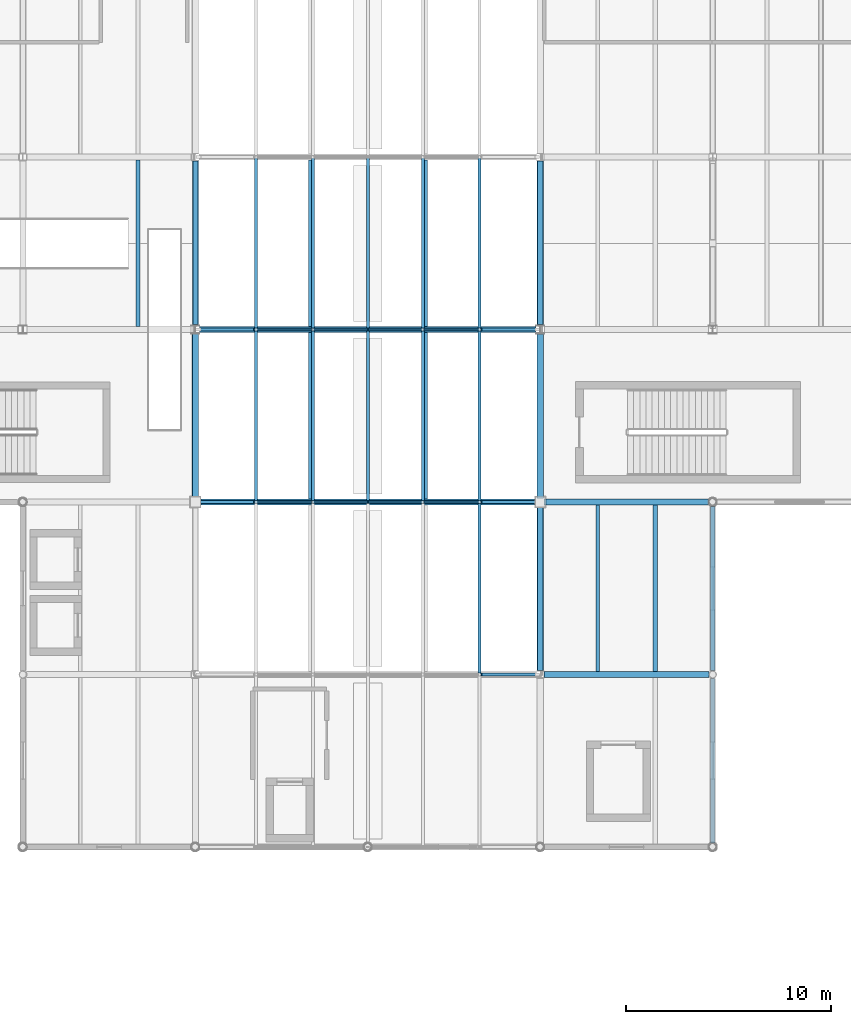
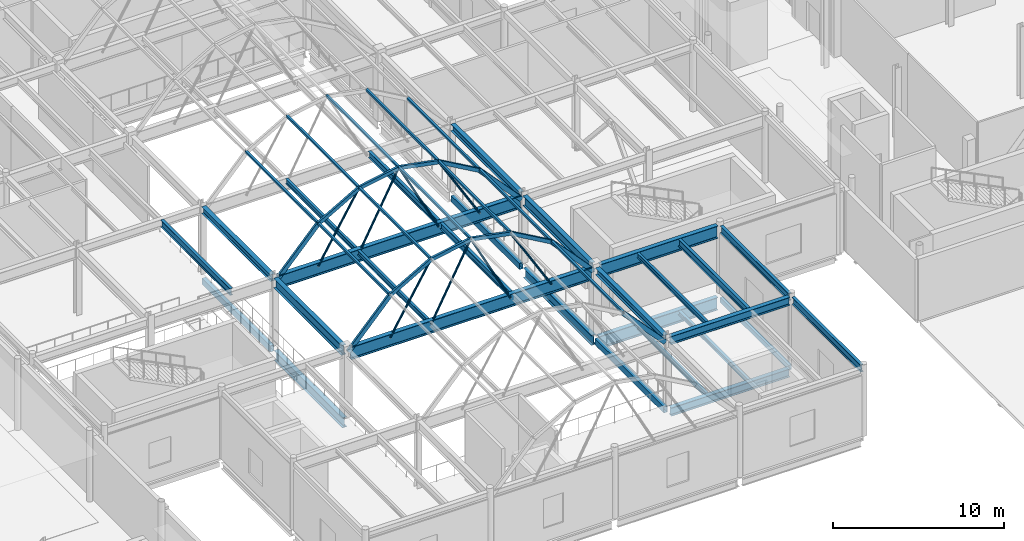
# One storey, part 23 of 103: 32 members, 28 beams.
"""IFC4 building model written with IfcOpenShell, lengths in metres."""

from ifc_helpers import new_model, si_unit, direction, frame, origin, origin_2d, place, context, subcontext, project, spatial, hollow_rectangle, hollow_circle, i_section, extrude, material, material_profile, profile_set, type_object, element, save


model = new_model("IFC4")

# Units and contexts
model_context = context("Model", 3, precision=1e-05, world=origin(), true_north=direction((0.0, 1.0)))
body_context = subcontext(model_context, "Body", "Model", "MODEL_VIEW")
ifc_project = project(units=[si_unit("LENGTHUNIT", "METRE"), si_unit("AREAUNIT", "SQUARE_METRE"), si_unit("VOLUMEUNIT", "CUBIC_METRE"), si_unit("PLANEANGLEUNIT", "RADIAN"), si_unit("MASSUNIT", "GRAM", prefix="KILO"), si_unit("THERMODYNAMICTEMPERATUREUNIT", "KELVIN")], contexts=[model_context])

# Site, building, storey
site_placement = place(None, origin())
site = spatial("IfcSite", under=ifc_project, at=site_placement, CompositionType="ELEMENT")
building_placement = place(site_placement, origin())
building = spatial("IfcBuilding", under=site, at=building_placement, Name="Lustrewick Department Store", CompositionType="ELEMENT")
storey_placement = place(building_placement, frame((0.0, 0.0, 16.5)))
storey = spatial("IfcBuildingStorey", under=building, at=storey_placement, Name="L04", CompositionType="ELEMENT", Elevation=16.5)

# Beams
ifc_material_1 = material(Name="Structural steel Q355B", Category="steel")
ifc_material_profile_1 = material_profile(ifc_material_1, i_section(OverallWidth=0.199951171875, OverallDepth=0.5, WebThickness=0.010009765625, FlangeThickness=0.01611328125, FilletRadius=0.01611328125, at=origin_2d()), Name="HN 500x200x10x16")
ifc_profile_set_1 = profile_set([ifc_material_profile_1], Name="Structural steel Q355B")
beam_type_1 = type_object("IfcBeamType", Name="B01", PredefinedType="JOIST", material=ifc_profile_set_1)
beam_1_placement = place(storey_placement, frame((98.0, 50.550048828125, 4.594970703125), z_axis=(0.0, 1.0, 0.0), x_axis=(-1.0, 0.0, 0.0)))
element("IfcBeam", 1, at=beam_1_placement, inside=storey, type_object=beam_type_1, Name="L04 V2 Secondary Joist B01", PredefinedType="JOIST", context=body_context, shape_type="SweptSolid", body=[
    extrude(i_section(OverallWidth=0.199951171875, OverallDepth=0.5, WebThickness=0.010009765625, FlangeThickness=0.01611328125, FilletRadius=0.01611328125, at=origin_2d()), origin(), (0.0, 0.0, 1.0), 8.100341796875),
])
ifc_material_profile_2 = material_profile(ifc_material_1, i_section(OverallWidth=0.198974609375, OverallDepth=0.49609375, WebThickness=0.009033203125, FlangeThickness=0.013916015625, FilletRadius=0.01611328125, at=origin_2d()), Name="HN 496x199x9x14")
ifc_profile_set_2 = profile_set([ifc_material_profile_2], Name="Structural steel Q355B")
beam_type_2 = type_object("IfcBeamType", Name="B02", PredefinedType="JOIST", material=ifc_profile_set_2)
beam_2_placement = place(storey_placement, frame((72.800048828125, 67.349609375, 4.596923828125), z_axis=(0.0, 1.0, 0.0), x_axis=(-1.0, 0.0, 0.0)))
element("IfcBeam", 2, at=beam_2_placement, inside=storey, type_object=beam_type_2, Name="L04 V2 Secondary Joist B02", PredefinedType="JOIST", context=body_context, shape_type="SweptSolid", body=[
    extrude(i_section(OverallWidth=0.198974609375, OverallDepth=0.49609375, WebThickness=0.009033203125, FlangeThickness=0.013916015625, FilletRadius=0.01611328125, at=origin_2d()), origin(), (0.0, 0.0, 1.0), 8.100341796875),
])
ifc_material_profile_3 = material_profile(ifc_material_1, i_section(OverallWidth=0.199951171875, OverallDepth=0.449951171875, WebThickness=0.009033203125, FlangeThickness=0.013916015625, FilletRadius=0.01611328125, at=origin_2d()), Name="HN 450x200x9x14")
ifc_profile_set_3 = profile_set([ifc_material_profile_3], Name="Structural steel Q355B")
beam_type_3 = type_object("IfcBeamType", Name="B03", PredefinedType="JOIST", material=ifc_profile_set_3)
beam_3_placement = place(storey_placement, frame((86.800048828125, 58.949951171875, 4.6201171875), z_axis=(0.0, 1.0, 0.0), x_axis=(-1.0, 0.0, 0.0)))
element("IfcBeam", 3, at=beam_3_placement, inside=storey, type_object=beam_type_3, Name="L04 V2 Secondary Joist B03", PredefinedType="JOIST", context=body_context, shape_type="SweptSolid", body=[
    extrude(i_section(OverallWidth=0.199951171875, OverallDepth=0.449951171875, WebThickness=0.009033203125, FlangeThickness=0.013916015625, FilletRadius=0.01611328125, at=origin_2d()), origin(), (0.0, 0.0, 1.0), 8.10009765625),
])
beam_4_placement = place(storey_placement, frame((86.800048828125, 67.35009765625, 4.6201171875), z_axis=(0.0, 1.0, 0.0), x_axis=(-1.0, 0.0, 0.0)))
element("IfcBeam", 4, at=beam_4_placement, inside=storey, type_object=beam_type_3, Name="L04 V2 Secondary Joist B03", PredefinedType="JOIST", context=body_context, shape_type="SweptSolid", body=[
    extrude(i_section(OverallWidth=0.199951171875, OverallDepth=0.449951171875, WebThickness=0.009033203125, FlangeThickness=0.013916015625, FilletRadius=0.01611328125, at=origin_2d()), origin(), (0.0, 0.0, 1.0), 8.099853515625),
])
ifc_material_profile_4 = material_profile(ifc_material_1, i_section(OverallWidth=0.175048828125, OverallDepth=0.35009765625, WebThickness=0.007080078125, FlangeThickness=0.010986328125, FilletRadius=0.012939453125, at=origin_2d()), Name="HN 350x175x7x11")
ifc_profile_set_4 = profile_set([ifc_material_profile_4], Name="Structural steel Q355B")
beam_type_4 = type_object("IfcBeamType", Name="B09", PredefinedType="JOIST", material=ifc_profile_set_4)
beam_5_placement = place(storey_placement, frame((95.199951171875, 50.550048828125, -0.429931640625), z_axis=(0.0, 1.0, 0.0), x_axis=(-1.0, 0.0, 0.0)))
element("IfcBeam", 5, at=beam_5_placement, inside=storey, type_object=beam_type_4, Name="L04 V2 Secondary Joist B09", PredefinedType="JOIST", context=body_context, shape_type="SweptSolid", body=[
    extrude(i_section(OverallWidth=0.175048828125, OverallDepth=0.35009765625, WebThickness=0.007080078125, FlangeThickness=0.010986328125, FilletRadius=0.012939453125, at=origin_2d()), origin(), (0.0, 0.0, 1.0), 8.099853515625),
])
beam_6_placement = place(storey_placement, frame((81.199951171875, 58.949951171875, 4.669921875), z_axis=(0.0, 1.0, 0.0), x_axis=(-1.0, 0.0, 0.0)))
element("IfcBeam", 6, at=beam_6_placement, inside=storey, type_object=beam_type_4, Name="L04 V2 Secondary Joist B09", PredefinedType="JOIST", context=body_context, shape_type="SweptSolid", body=[
    extrude(i_section(OverallWidth=0.175048828125, OverallDepth=0.35009765625, WebThickness=0.007080078125, FlangeThickness=0.010986328125, FilletRadius=0.012939453125, at=origin_2d()), origin(), (0.0, 0.0, 1.0), 8.10009765625),
])
beam_7_placement = place(storey_placement, frame((81.199951171875, 67.35009765625, 4.669921875), z_axis=(0.0, 1.0, 0.0), x_axis=(-1.0, 0.0, 0.0)))
element("IfcBeam", 7, at=beam_7_placement, inside=storey, type_object=beam_type_4, Name="L04 V2 Secondary Joist B09", PredefinedType="JOIST", context=body_context, shape_type="SweptSolid", body=[
    extrude(i_section(OverallWidth=0.175048828125, OverallDepth=0.35009765625, WebThickness=0.007080078125, FlangeThickness=0.010986328125, FilletRadius=0.012939453125, at=origin_2d()), origin(), (0.0, 0.0, 1.0), 8.099853515625),
])
ifc_material_profile_5 = material_profile(ifc_material_1, i_section(OverallWidth=0.174072265625, OverallDepth=0.345947265625, WebThickness=0.006103515625, FlangeThickness=0.009033203125, FilletRadius=0.012939453125, at=origin_2d()), Name="HN 346x174x6x9")
ifc_profile_set_5 = profile_set([ifc_material_profile_5], Name="Structural steel Q355B")
beam_type_5 = type_object("IfcBeamType", Name="B10", PredefinedType="JOIST", material=ifc_profile_set_5)
beam_8_placement = place(storey_placement, frame((95.199951171875, 50.550048828125, 4.672119140625), z_axis=(0.0, 1.0, 0.0), x_axis=(-1.0, 0.0, 0.0)))
element("IfcBeam", 8, at=beam_8_placement, inside=storey, type_object=beam_type_5, Name="L04 V2 Secondary Joist B10", PredefinedType="JOIST", context=body_context, shape_type="SweptSolid", body=[
    extrude(i_section(OverallWidth=0.174072265625, OverallDepth=0.345947265625, WebThickness=0.006103515625, FlangeThickness=0.009033203125, FilletRadius=0.012939453125, at=origin_2d()), origin(), (0.0, 0.0, 1.0), 8.100341796875),
])
ifc_material_profile_6 = material_profile(ifc_material_1, i_section(OverallWidth=0.199951171875, OverallDepth=0.2939453125, WebThickness=0.008056640625, FlangeThickness=0.011962890625, FilletRadius=0.013916015625, at=origin_2d()), Name="HM 294x200x8x12")
ifc_profile_set_6 = profile_set([ifc_material_profile_6], Name="Structural steel Q355B")
beam_type_6 = type_object("IfcBeamType", Name="B13", PredefinedType="JOIST", material=ifc_profile_set_6)
beam_9_placement = place(storey_placement, frame((98.0, 50.550048828125, -0.402099609375), z_axis=(0.0, 1.0, 0.0), x_axis=(-1.0, 0.0, 0.0)))
element("IfcBeam", 9, at=beam_9_placement, inside=storey, type_object=beam_type_6, Name="L04 V2 Secondary Joist B13", PredefinedType="JOIST", context=body_context, shape_type="SweptSolid", body=[
    extrude(i_section(OverallWidth=0.199951171875, OverallDepth=0.2939453125, WebThickness=0.008056640625, FlangeThickness=0.011962890625, FilletRadius=0.013916015625, at=origin_2d()), origin(), (0.0, 0.0, 1.0), 8.099853515625),
])

# Members
ifc_material_2 = material(Name="Structural steel Q355C", Category="steel")
ifc_material_profile_7 = material_profile(ifc_material_2, hollow_rectangle(XDim=0.14990234375, YDim=0.300048828125, WallThickness=0.010009765625, at=origin_2d()), Name="RHS 300x150x10")
ifc_profile_set_7 = profile_set([ifc_material_profile_7], Name="Structural steel Q355C")
member_type_1 = type_object("IfcMemberType", Name="DR01", PredefinedType="USERDEFINED", material=ifc_profile_set_7)
for number, where, z_axis, x_axis, name in (
    (10, (89.445068359375, 50.39990234375, 7.5341796875), (0.678233515991, 0.0, -0.734846445039), (0.0, 1.0, 0.0), "V2 Verriere Arch Segment 2.6"),
    (11, (75.75, 58.800048828125, 4.4951171875), (0.678233515991, 0.0, 0.734846445039), (0.0, 1.0, 0.0), "V2 Verriere Arch Segment 3.1"),
    (12, (89.445068359375, 58.800048828125, 7.5341796875), (0.678233515991, 0.0, -0.734846445039), (0.0, 1.0, 0.0), "V2 Verriere Arch Segment 3.6"),
    (13, (75.75, 67.199951171875, 4.4951171875), (0.678233515991, 0.0, 0.734846445039), (0.0, 1.0, 0.0), "V2 Verriere Arch Segment 4.1"),
    (14, (89.445068359375, 67.199951171875, 7.5341796875), (0.678233515991, 0.0, -0.734846445039), (0.0, 1.0, 0.0), "V2 Verriere Arch Segment 4.6"),
):
    element("IfcMember", number, at=place(storey_placement, frame(where, z_axis=z_axis, x_axis=x_axis)), inside=storey, type_object=member_type_1, Name=name, ObjectType="ARCH_SEGMENT", PredefinedType="USERDEFINED", context=body_context, shape_type="SweptSolid", body=[
        extrude(hollow_rectangle(XDim=0.14990234375, YDim=0.300048828125, WallThickness=0.010009765625, at=origin_2d()), origin(), (0.0, 0.0, 1.0), 4.1357421875),
    ])
ifc_material_profile_8 = material_profile(ifc_material_2, hollow_rectangle(XDim=0.14990234375, YDim=0.25, WallThickness=0.010009765625, at=origin_2d()), Name="RHS 250x150x10")
ifc_profile_set_8 = profile_set([ifc_material_profile_8], Name="Structural steel Q355C")
member_type_2 = type_object("IfcMemberType", Name="DR03", PredefinedType="USERDEFINED", material=ifc_profile_set_8)
member_1_placement = place(storey_placement, frame((78.554931640625, 58.800048828125, 7.5341796875), z_axis=(0.868243142124, 0.0, 0.496138938357), x_axis=(0.0, 1.0, 0.0)))
element("IfcMember", 15, at=member_1_placement, inside=storey, type_object=member_type_2, Name="V2 Verriere Arch Segment 3.2", ObjectType="ARCH_SEGMENT", PredefinedType="USERDEFINED", context=body_context, shape_type="SweptSolid", body=[
    extrude(hollow_rectangle(XDim=0.14990234375, YDim=0.25, WallThickness=0.010009765625, at=origin_2d()), origin(), (0.0, 0.0, 1.0), 3.186767578125),
])
for number, where, z_axis, x_axis, name in (
    (16, (81.32177734375, 58.800048828125, 9.115234375), (0.982347187118, 0.0, 0.187066843563), (0.0, 1.0, 0.0), "V2 Verriere Arch Segment 3.3"),
    (17, (84.0, 58.800048828125, 9.625244140625), (0.982347187118, 0.0, -0.187066843563), (0.0, 1.0, 0.0), "V2 Verriere Arch Segment 3.4"),
):
    element("IfcMember", number, at=place(storey_placement, frame(where, z_axis=z_axis, x_axis=x_axis)), inside=storey, type_object=member_type_2, Name=name, ObjectType="ARCH_SEGMENT", PredefinedType="USERDEFINED", context=body_context, shape_type="SweptSolid", body=[
        extrude(hollow_rectangle(XDim=0.14990234375, YDim=0.25, WallThickness=0.010009765625, at=origin_2d()), origin(), (0.0, 0.0, 1.0), 2.726318359375),
    ])
for number, where, z_axis, x_axis, name in (
    (18, (86.67822265625, 58.800048828125, 9.115234375), (0.868243142124, 0.0, -0.496138938357), (0.0, 1.0, 0.0), "V2 Verriere Arch Segment 3.5"),
    (19, (78.554931640625, 67.199951171875, 7.5341796875), (0.868243142124, 0.0, 0.496138938357), (0.0, 1.0, 0.0), "V2 Verriere Arch Segment 4.2"),
):
    element("IfcMember", number, at=place(storey_placement, frame(where, z_axis=z_axis, x_axis=x_axis)), inside=storey, type_object=member_type_2, Name=name, ObjectType="ARCH_SEGMENT", PredefinedType="USERDEFINED", context=body_context, shape_type="SweptSolid", body=[
        extrude(hollow_rectangle(XDim=0.14990234375, YDim=0.25, WallThickness=0.010009765625, at=origin_2d()), origin(), (0.0, 0.0, 1.0), 3.186767578125),
    ])
for number, where, z_axis, x_axis, name in (
    (20, (81.32177734375, 67.199951171875, 9.115234375), (0.982347187118, 0.0, 0.187066843563), (0.0, 1.0, 0.0), "V2 Verriere Arch Segment 4.3"),
    (21, (84.0, 67.199951171875, 9.625244140625), (0.982347187118, 0.0, -0.187066843563), (0.0, 1.0, 0.0), "V2 Verriere Arch Segment 4.4"),
):
    element("IfcMember", number, at=place(storey_placement, frame(where, z_axis=z_axis, x_axis=x_axis)), inside=storey, type_object=member_type_2, Name=name, ObjectType="ARCH_SEGMENT", PredefinedType="USERDEFINED", context=body_context, shape_type="SweptSolid", body=[
        extrude(hollow_rectangle(XDim=0.14990234375, YDim=0.25, WallThickness=0.010009765625, at=origin_2d()), origin(), (0.0, 0.0, 1.0), 2.726318359375),
    ])
member_2_placement = place(storey_placement, frame((86.67822265625, 67.199951171875, 9.115234375), z_axis=(0.868243142124, 0.0, -0.496138938357), x_axis=(0.0, 1.0, 0.0)))
element("IfcMember", 22, at=member_2_placement, inside=storey, type_object=member_type_2, Name="V2 Verriere Arch Segment 4.5", ObjectType="ARCH_SEGMENT", PredefinedType="USERDEFINED", context=body_context, shape_type="SweptSolid", body=[
    extrude(hollow_rectangle(XDim=0.14990234375, YDim=0.25, WallThickness=0.010009765625, at=origin_2d()), origin(), (0.0, 0.0, 1.0), 3.186767578125),
])
ifc_material_profile_9 = material_profile(ifc_material_1, hollow_rectangle(XDim=0.14990234375, YDim=0.14990234375, WallThickness=0.008056640625, at=origin_2d()), Name="SHS 150x150x8")
ifc_profile_set_9 = profile_set([ifc_material_profile_9], Name="Structural steel Q355B")
member_type_3 = type_object("IfcMemberType", Name="DR05", PredefinedType="PURLIN", material=ifc_profile_set_9)
member_3_placement = place(storey_placement, frame((89.445556640625, 50.39990234375, 7.585205078125), z_axis=(0.0, 1.0, 0.0), x_axis=(-1.0, 0.0, 0.0)))
element("IfcMember", 23, at=member_3_placement, inside=storey, type_object=member_type_3, Name="V2 Verriere Longitudinal Purlin 2.6", PredefinedType="PURLIN", context=body_context, shape_type="SweptSolid", body=[
    extrude(hollow_rectangle(XDim=0.14990234375, YDim=0.14990234375, WallThickness=0.008056640625, at=origin_2d()), origin(), (0.0, 0.0, 1.0), 8.400146484375),
])
for number, where, z_axis, x_axis, name in (
    (24, (78.554443359375, 58.800048828125, 7.585205078125), (0.0, 1.0, 0.0), (-1.0, 0.0, 0.0), "V2 Verriere Longitudinal Purlin 3.2"),
    (25, (81.3212890625, 58.800048828125, 9.166259765625), (0.0, 1.0, 0.0), (-1.0, 0.0, 0.0), "V2 Verriere Longitudinal Purlin 3.3"),
    (26, (84.0, 58.800048828125, 9.67626953125), (0.0, 1.0, 0.0), (-1.0, 0.0, 0.0), "V2 Verriere Longitudinal Purlin 3.4"),
    (27, (86.6787109375, 58.800048828125, 9.166259765625), (0.0, 1.0, 0.0), (-1.0, 0.0, 0.0), "V2 Verriere Longitudinal Purlin 3.5"),
    (28, (89.445556640625, 58.800048828125, 7.585205078125), (0.0, 1.0, 0.0), (-1.0, 0.0, 0.0), "V2 Verriere Longitudinal Purlin 3.6"),
):
    element("IfcMember", number, at=place(storey_placement, frame(where, z_axis=z_axis, x_axis=x_axis)), inside=storey, type_object=member_type_3, Name=name, PredefinedType="PURLIN", context=body_context, shape_type="SweptSolid", body=[
        extrude(hollow_rectangle(XDim=0.14990234375, YDim=0.14990234375, WallThickness=0.008056640625, at=origin_2d()), origin(), (0.0, 0.0, 1.0), 8.39990234375),
    ])
for number, where, z_axis, x_axis, name in (
    (29, (78.554443359375, 67.199951171875, 7.585205078125), (0.0, 1.0, 0.0), (-1.0, 0.0, 0.0), "V2 Verriere Longitudinal Purlin 4.2"),
    (30, (81.3212890625, 67.199951171875, 9.166259765625), (0.0, 1.0, 0.0), (-1.0, 0.0, 0.0), "V2 Verriere Longitudinal Purlin 4.3"),
    (31, (84.0, 67.199951171875, 9.67626953125), (0.0, 1.0, 0.0), (-1.0, 0.0, 0.0), "V2 Verriere Longitudinal Purlin 4.4"),
    (32, (86.6787109375, 67.199951171875, 9.166259765625), (0.0, 1.0, 0.0), (-1.0, 0.0, 0.0), "V2 Verriere Longitudinal Purlin 4.5"),
    (33, (89.445556640625, 67.199951171875, 7.585205078125), (0.0, 1.0, 0.0), (-1.0, 0.0, 0.0), "V2 Verriere Longitudinal Purlin 4.6"),
):
    element("IfcMember", number, at=place(storey_placement, frame(where, z_axis=z_axis, x_axis=x_axis)), inside=storey, type_object=member_type_3, Name=name, PredefinedType="PURLIN", context=body_context, shape_type="SweptSolid", body=[
        extrude(hollow_rectangle(XDim=0.14990234375, YDim=0.14990234375, WallThickness=0.008056640625, at=origin_2d()), origin(), (0.0, 0.0, 1.0), 8.400146484375),
    ])
ifc_material_profile_10 = material_profile(ifc_material_2, hollow_circle(Radius=0.070068359375, WallThickness=0.006103515625, at=origin_2d()), Name="CHS 140x6")
ifc_profile_set_10 = profile_set([ifc_material_profile_10], Name="Structural steel Q355C")
member_type_4 = type_object("IfcMemberType", Name="DR10", PredefinedType="BRACE", material=ifc_profile_set_10)
member_4_placement = place(storey_placement, frame((78.554931640625, 58.800048828125, 4.4951171875), z_axis=(0.513782216913, 0.0, 0.857920645272), x_axis=(0.0, 1.0, 0.0)))
element("IfcMember", 34, at=member_4_placement, inside=storey, type_object=member_type_4, Name="V2 Verriere Tension Truss Diagonal 3.1", PredefinedType="BRACE", context=body_context, shape_type="SweptSolid", body=[
    extrude(hollow_circle(Radius=0.070068359375, WallThickness=0.006103515625, at=origin_2d()), origin(), (0.0, 0.0, 1.0), 5.38525390625),
])
member_5_placement = place(storey_placement, frame((81.32177734375, 58.800048828125, 4.4951171875), z_axis=(0.462788020817, 0.0, 0.886468977341), x_axis=(0.0, 1.0, 0.0)))
element("IfcMember", 35, at=member_5_placement, inside=storey, type_object=member_type_4, Name="V2 Verriere Tension Truss Diagonal 3.2", PredefinedType="BRACE", context=body_context, shape_type="SweptSolid", body=[
    extrude(hollow_circle(Radius=0.070068359375, WallThickness=0.006103515625, at=origin_2d()), origin(), (0.0, 0.0, 1.0), 5.787109375),
])
member_6_placement = place(storey_placement, frame((89.445068359375, 58.800048828125, 4.4951171875), z_axis=(-0.513782216913, 0.0, 0.857920645272), x_axis=(0.0, -1.0, 0.0)))
element("IfcMember", 36, at=member_6_placement, inside=storey, type_object=member_type_4, Name="V2 Verriere Tension Truss Diagonal 3.3", PredefinedType="BRACE", context=body_context, shape_type="SweptSolid", body=[
    extrude(hollow_circle(Radius=0.070068359375, WallThickness=0.006103515625, at=origin_2d()), origin(), (0.0, 0.0, 1.0), 5.38525390625),
])
member_7_placement = place(storey_placement, frame((86.67822265625, 58.800048828125, 4.4951171875), z_axis=(-0.462788020817, 0.0, 0.886468977341), x_axis=(0.0, -1.0, 0.0)))
element("IfcMember", 37, at=member_7_placement, inside=storey, type_object=member_type_4, Name="V2 Verriere Tension Truss Diagonal 3.4", PredefinedType="BRACE", context=body_context, shape_type="SweptSolid", body=[
    extrude(hollow_circle(Radius=0.070068359375, WallThickness=0.006103515625, at=origin_2d()), origin(), (0.0, 0.0, 1.0), 5.787109375),
])
member_8_placement = place(storey_placement, frame((78.554931640625, 67.199951171875, 4.4951171875), z_axis=(0.513782216913, 0.0, 0.857920645272), x_axis=(0.0, 1.0, 0.0)))
element("IfcMember", 38, at=member_8_placement, inside=storey, type_object=member_type_4, Name="V2 Verriere Tension Truss Diagonal 4.1", PredefinedType="BRACE", context=body_context, shape_type="SweptSolid", body=[
    extrude(hollow_circle(Radius=0.070068359375, WallThickness=0.006103515625, at=origin_2d()), origin(), (0.0, 0.0, 1.0), 5.38525390625),
])
member_9_placement = place(storey_placement, frame((81.32177734375, 67.199951171875, 4.4951171875), z_axis=(0.462788020817, 0.0, 0.886468977341), x_axis=(0.0, 1.0, 0.0)))
element("IfcMember", 39, at=member_9_placement, inside=storey, type_object=member_type_4, Name="V2 Verriere Tension Truss Diagonal 4.2", PredefinedType="BRACE", context=body_context, shape_type="SweptSolid", body=[
    extrude(hollow_circle(Radius=0.070068359375, WallThickness=0.006103515625, at=origin_2d()), origin(), (0.0, 0.0, 1.0), 5.787109375),
])
member_10_placement = place(storey_placement, frame((89.445068359375, 67.199951171875, 4.4951171875), z_axis=(-0.513782216913, 0.0, 0.857920645272), x_axis=(0.0, -1.0, 0.0)))
element("IfcMember", 40, at=member_10_placement, inside=storey, type_object=member_type_4, Name="V2 Verriere Tension Truss Diagonal 4.3", PredefinedType="BRACE", context=body_context, shape_type="SweptSolid", body=[
    extrude(hollow_circle(Radius=0.070068359375, WallThickness=0.006103515625, at=origin_2d()), origin(), (0.0, 0.0, 1.0), 5.38525390625),
])
member_11_placement = place(storey_placement, frame((86.67822265625, 67.199951171875, 4.4951171875), z_axis=(-0.462788020817, 0.0, 0.886468977341), x_axis=(0.0, -1.0, 0.0)))
element("IfcMember", 41, at=member_11_placement, inside=storey, type_object=member_type_4, Name="V2 Verriere Tension Truss Diagonal 4.4", PredefinedType="BRACE", context=body_context, shape_type="SweptSolid", body=[
    extrude(hollow_circle(Radius=0.070068359375, WallThickness=0.006103515625, at=origin_2d()), origin(), (0.0, 0.0, 1.0), 5.787109375),
])

# Beams
ifc_material_profile_11 = material_profile(ifc_material_2, i_section(OverallWidth=0.300048828125, OverallDepth=0.89990234375, WebThickness=0.01611328125, FlangeThickness=0.028076171875, FilletRadius=0.02392578125, at=origin_2d()), Name="HN 900x300x16x28")
ifc_profile_set_11 = profile_set([ifc_material_profile_11], Name="Structural steel Q355C")
beam_type_7 = type_object("IfcBeamType", Name="G02", PredefinedType="BEAM", material=ifc_profile_set_11)
beam_10_placement = place(storey_placement, frame((92.574951171875, 58.800048828125, -0.705078125), z_axis=(1.0, 0.0, 0.0), x_axis=(0.0, 1.0, 0.0)))
element("IfcBeam", 42, at=beam_10_placement, inside=storey, type_object=beam_type_7, Name="L04 V2 Girder G02", PredefinedType="BEAM", context=body_context, shape_type="SweptSolid", body=[
    extrude(i_section(OverallWidth=0.300048828125, OverallDepth=0.89990234375, WebThickness=0.01611328125, FlangeThickness=0.028076171875, FilletRadius=0.02392578125, at=origin_2d()), origin(), (0.0, 0.0, 1.0), 8.02197265625),
])
beam_11_placement = place(storey_placement, frame((75.875, 58.800048828125, 4.39501953125), z_axis=(1.0, 0.0, 0.0), x_axis=(0.0, 1.0, 0.0)))
element("IfcBeam", 43, at=beam_11_placement, inside=storey, type_object=beam_type_7, Name="L04 V2 Girder G02", PredefinedType="BEAM", context=body_context, shape_type="SweptSolid", body=[
    extrude(i_section(OverallWidth=0.300048828125, OverallDepth=0.89990234375, WebThickness=0.01611328125, FlangeThickness=0.028076171875, FilletRadius=0.02392578125, at=origin_2d()), origin(), (0.0, 0.0, 1.0), 16.25),
])
beam_12_placement = place(storey_placement, frame((75.801025390625, 67.199951171875, 4.39501953125), z_axis=(1.0, 0.0, 0.0), x_axis=(0.0, 1.0, 0.0)))
element("IfcBeam", 44, at=beam_12_placement, inside=storey, type_object=beam_type_7, Name="L04 V2 Girder G02", PredefinedType="BEAM", context=body_context, shape_type="SweptSolid", body=[
    extrude(i_section(OverallWidth=0.300048828125, OverallDepth=0.89990234375, WebThickness=0.01611328125, FlangeThickness=0.028076171875, FilletRadius=0.02392578125, at=origin_2d()), origin(), (0.0, 0.0, 1.0), 16.39794921875),
])
ifc_material_profile_12 = material_profile(ifc_material_2, i_section(OverallWidth=0.299072265625, OverallDepth=0.889892578125, WebThickness=0.014892578125, FlangeThickness=0.02294921875, FilletRadius=0.02392578125, at=origin_2d()), Name="HN 890x299x15x23")
ifc_profile_set_12 = profile_set([ifc_material_profile_12], Name="Structural steel Q355C")
beam_type_8 = type_object("IfcBeamType", Name="G03", PredefinedType="BEAM", material=ifc_profile_set_12)
beam_13_placement = place(storey_placement, frame((92.675048828125, 58.800048828125, 4.39990234375), z_axis=(1.0, 0.0, 0.0), x_axis=(0.0, 1.0, 0.0)))
element("IfcBeam", 45, at=beam_13_placement, inside=storey, type_object=beam_type_8, Name="L04 V2 Girder G03", PredefinedType="BEAM", context=body_context, shape_type="SweptSolid", body=[
    extrude(i_section(OverallWidth=0.299072265625, OverallDepth=0.889892578125, WebThickness=0.014892578125, FlangeThickness=0.02294921875, FilletRadius=0.02392578125, at=origin_2d()), origin(), (0.0, 0.0, 1.0), 7.921875),
])
ifc_material_profile_13 = material_profile(ifc_material_2, i_section(OverallWidth=0.302001953125, OverallDepth=0.7080078125, WebThickness=0.014892578125, FlangeThickness=0.028076171875, FilletRadius=0.02001953125, at=origin_2d()), Name="HN 708x302x15x28")
ifc_profile_set_13 = profile_set([ifc_material_profile_13], Name="Structural steel Q355C")
beam_type_9 = type_object("IfcBeamType", Name="G07", PredefinedType="BEAM", material=ifc_profile_set_13)
for number, where, z_axis, x_axis, name in (
    (46, (75.60009765625, 58.97509765625, -0.60888671875), (0.0, 1.0, 0.0), (-1.0, 0.0, 0.0), "L04 V2 Girder G07"),
    (47, (92.39990234375, 58.97509765625, -0.60888671875), (0.0, 1.0, 0.0), (-1.0, 0.0, 0.0), "L04 V2 Girder G07"),
):
    element("IfcBeam", number, at=place(storey_placement, frame(where, z_axis=z_axis, x_axis=x_axis)), inside=storey, type_object=beam_type_9, Name=name, PredefinedType="BEAM", context=body_context, shape_type="SweptSolid", body=[
        extrude(i_section(OverallWidth=0.302001953125, OverallDepth=0.7080078125, WebThickness=0.014892578125, FlangeThickness=0.028076171875, FilletRadius=0.02001953125, at=origin_2d()), origin(), (0.0, 0.0, 1.0), 7.974853515625),
    ])
ifc_material_profile_14 = material_profile(ifc_material_1, i_section(OverallWidth=0.300048828125, OverallDepth=0.699951171875, WebThickness=0.012939453125, FlangeThickness=0.02392578125, FilletRadius=0.02001953125, at=origin_2d()), Name="HN 700x300x13x24")
ifc_profile_set_14 = profile_set([ifc_material_profile_14], Name="Structural steel Q355B")
beam_type_10 = type_object("IfcBeamType", Name="G08", PredefinedType="BEAM", material=ifc_profile_set_14)
for number, where, z_axis, x_axis, name in (
    (48, (75.60009765625, 59.074951171875, 4.4951171875), (0.0, 1.0, 0.0), (-1.0, 0.0, 0.0), "L04 V2 Girder G08"),
    (49, (92.39990234375, 59.074951171875, 4.4951171875), (0.0, 1.0, 0.0), (-1.0, 0.0, 0.0), "L04 V2 Girder G08"),
):
    element("IfcBeam", number, at=place(storey_placement, frame(where, z_axis=z_axis, x_axis=x_axis)), inside=storey, type_object=beam_type_10, Name=name, PredefinedType="BEAM", context=body_context, shape_type="SweptSolid", body=[
        extrude(i_section(OverallWidth=0.300048828125, OverallDepth=0.699951171875, WebThickness=0.012939453125, FlangeThickness=0.02392578125, FilletRadius=0.02001953125, at=origin_2d()), origin(), (0.0, 0.0, 1.0), 7.93115234375),
    ])
ifc_material_profile_15 = material_profile(ifc_material_1, i_section(OverallWidth=0.300048828125, OverallDepth=0.587890625, WebThickness=0.011962890625, FlangeThickness=0.02001953125, FilletRadius=0.02392578125, at=origin_2d()), Name="HM 588x300x12x20")
ifc_profile_set_15 = profile_set([ifc_material_profile_15], Name="Structural steel Q355B")
beam_type_11 = type_object("IfcBeamType", Name="G11", PredefinedType="BEAM", material=ifc_profile_set_15)
beam_14_placement = place(storey_placement, frame((92.60107421875, 50.39990234375, -0.549072265625), z_axis=(1.0, 0.0, 0.0), x_axis=(0.0, 1.0, 0.0)))
element("IfcBeam", 50, at=beam_14_placement, inside=storey, type_object=beam_type_11, Name="L04 V2 Girder G11", PredefinedType="BEAM", context=body_context, shape_type="SweptSolid", body=[
    extrude(i_section(OverallWidth=0.300048828125, OverallDepth=0.587890625, WebThickness=0.011962890625, FlangeThickness=0.02001953125, FilletRadius=0.02392578125, at=origin_2d()), origin(), (0.0, 0.0, 1.0), 8.010498046875),
])
ifc_material_profile_16 = material_profile(ifc_material_1, i_section(OverallWidth=0.300048828125, OverallDepth=0.58203125, WebThickness=0.011962890625, FlangeThickness=0.01708984375, FilletRadius=0.02392578125, at=origin_2d()), Name="HM 582x300x12x17")
ifc_profile_set_16 = profile_set([ifc_material_profile_16], Name="Structural steel Q355B")
beam_type_12 = type_object("IfcBeamType", Name="G12", PredefinedType="BEAM", material=ifc_profile_set_16)
beam_15_placement = place(storey_placement, frame((92.574951171875, 50.39990234375, 4.553955078125), z_axis=(1.0, 0.0, 0.0), x_axis=(0.0, 1.0, 0.0)))
element("IfcBeam", 51, at=beam_15_placement, inside=storey, type_object=beam_type_12, Name="L04 V2 Girder G12", PredefinedType="BEAM", context=body_context, shape_type="SweptSolid", body=[
    extrude(i_section(OverallWidth=0.300048828125, OverallDepth=0.58203125, WebThickness=0.011962890625, FlangeThickness=0.01708984375, FilletRadius=0.02392578125, at=origin_2d()), origin(), (0.0, 0.0, 1.0), 8.03662109375),
])
ifc_material_profile_17 = material_profile(ifc_material_2, hollow_rectangle(XDim=0.25, YDim=0.449951171875, WallThickness=0.013916015625, at=origin_2d()), Name="RHS 450x250x14")
ifc_profile_set_17 = profile_set([ifc_material_profile_17], Name="Structural steel Q355C")
beam_type_13 = type_object("IfcBeamType", Name="G18", PredefinedType="BEAM", material=ifc_profile_set_17)
beam_16_placement = place(storey_placement, frame((75.60009765625, 67.449951171875, -0.47998046875), z_axis=(0.0, 1.0, 0.0), x_axis=(-1.0, 0.0, 0.0)))
element("IfcBeam", 52, at=beam_16_placement, inside=storey, type_object=beam_type_13, Name="L04 V2 Girder G18", PredefinedType="BEAM", context=body_context, shape_type="SweptSolid", body=[
    extrude(hollow_rectangle(XDim=0.25, YDim=0.449951171875, WallThickness=0.013916015625, at=origin_2d()), origin(), (0.0, 0.0, 1.0), 7.9560546875),
])
beam_17_placement = place(storey_placement, frame((92.39990234375, 50.593994140625, -0.47998046875), z_axis=(0.0, 1.0, 0.0), x_axis=(-1.0, 0.0, 0.0)))
element("IfcBeam", 53, at=beam_17_placement, inside=storey, type_object=beam_type_13, Name="L04 V2 Girder G18", PredefinedType="BEAM", context=body_context, shape_type="SweptSolid", body=[
    extrude(hollow_rectangle(XDim=0.25, YDim=0.449951171875, WallThickness=0.013916015625, at=origin_2d()), origin(), (0.0, 0.0, 1.0), 8.031005859375),
])
beam_18_placement = place(storey_placement, frame((92.39990234375, 67.449951171875, -0.47998046875), z_axis=(0.0, 1.0, 0.0), x_axis=(-1.0, 0.0, 0.0)))
element("IfcBeam", 54, at=beam_18_placement, inside=storey, type_object=beam_type_13, Name="L04 V2 Girder G18", PredefinedType="BEAM", context=body_context, shape_type="SweptSolid", body=[
    extrude(hollow_rectangle(XDim=0.25, YDim=0.449951171875, WallThickness=0.013916015625, at=origin_2d()), origin(), (0.0, 0.0, 1.0), 7.9560546875),
])
ifc_material_profile_18 = material_profile(ifc_material_1, i_section(OverallWidth=0.300048828125, OverallDepth=0.48193359375, WebThickness=0.010986328125, FlangeThickness=0.014892578125, FilletRadius=0.02197265625, at=origin_2d()), Name="HM 482x300x11x15")
ifc_profile_set_18 = profile_set([ifc_material_profile_18], Name="Structural steel Q355B")
beam_type_14 = type_object("IfcBeamType", Name="G20", PredefinedType="BEAM", material=ifc_profile_set_18)
beam_19_placement = place(storey_placement, frame((75.60009765625, 67.39404296875, 4.60400390625), z_axis=(0.0, 1.0, 0.0), x_axis=(-1.0, 0.0, 0.0)))
element("IfcBeam", 55, at=beam_19_placement, inside=storey, type_object=beam_type_14, Name="L04 V2 Girder G20", PredefinedType="BEAM", context=body_context, shape_type="SweptSolid", body=[
    extrude(i_section(OverallWidth=0.300048828125, OverallDepth=0.48193359375, WebThickness=0.010986328125, FlangeThickness=0.014892578125, FilletRadius=0.02197265625, at=origin_2d()), origin(), (0.0, 0.0, 1.0), 8.031005859375),
])
beam_20_placement = place(storey_placement, frame((92.39990234375, 50.574951171875, 4.60400390625), z_axis=(0.0, 1.0, 0.0), x_axis=(-1.0, 0.0, 0.0)))
element("IfcBeam", 56, at=beam_20_placement, inside=storey, type_object=beam_type_14, Name="L04 V2 Girder G20", PredefinedType="BEAM", context=body_context, shape_type="SweptSolid", body=[
    extrude(i_section(OverallWidth=0.300048828125, OverallDepth=0.48193359375, WebThickness=0.010986328125, FlangeThickness=0.014892578125, FilletRadius=0.02197265625, at=origin_2d()), origin(), (0.0, 0.0, 1.0), 7.949951171875),
])
beam_21_placement = place(storey_placement, frame((92.39990234375, 67.39404296875, 4.60400390625), z_axis=(0.0, 1.0, 0.0), x_axis=(-1.0, 0.0, 0.0)))
element("IfcBeam", 57, at=beam_21_placement, inside=storey, type_object=beam_type_14, Name="L04 V2 Girder G20", PredefinedType="BEAM", context=body_context, shape_type="SweptSolid", body=[
    extrude(i_section(OverallWidth=0.300048828125, OverallDepth=0.48193359375, WebThickness=0.010986328125, FlangeThickness=0.014892578125, FilletRadius=0.02197265625, at=origin_2d()), origin(), (0.0, 0.0, 1.0), 8.031005859375),
])
ifc_material_profile_19 = material_profile(ifc_material_1, i_section(OverallWidth=0.200927734375, OverallDepth=0.506103515625, WebThickness=0.010986328125, FlangeThickness=0.01904296875, FilletRadius=0.01611328125, at=origin_2d()), Name="HN 506x201x11x19")
ifc_profile_set_19 = profile_set([ifc_material_profile_19], Name="Structural steel Q355B")
beam_type_15 = type_object("IfcBeamType", Name="SP01", PredefinedType="SPANDREL", material=ifc_profile_set_19)
for number, where, z_axis, x_axis, name in (
    (58, (100.800048828125, 42.202880859375, 4.592041015625), (0.0, 1.0, 0.0), (-1.0, 0.0, 0.0), "L04 V2 Girder SP01"),
    (59, (100.800048828125, 50.58837890625, 4.592041015625), (0.0, 1.0, 0.0), (-1.0, 0.0, 0.0), "L04 V2 Girder SP01"),
):
    element("IfcBeam", number, at=place(storey_placement, frame(where, z_axis=z_axis, x_axis=x_axis)), inside=storey, type_object=beam_type_15, Name=name, PredefinedType="SPANDREL", context=body_context, shape_type="SweptSolid", body=[
        extrude(i_section(OverallWidth=0.200927734375, OverallDepth=0.506103515625, WebThickness=0.010986328125, FlangeThickness=0.01904296875, FilletRadius=0.01611328125, at=origin_2d()), origin(), (0.0, 0.0, 1.0), 8.008544921875),
    ])
ifc_material_profile_20 = material_profile(ifc_material_2, hollow_rectangle(XDim=0.199951171875, YDim=0.35009765625, WallThickness=0.011962890625, at=origin_2d()), Name="RHS 350x200x12")
ifc_profile_set_20 = profile_set([ifc_material_profile_20], Name="Structural steel Q355C")
beam_type_16 = type_object("IfcBeamType", Name="SP03", PredefinedType="SPANDREL", material=ifc_profile_set_20)
beam_22_placement = place(storey_placement, frame((100.800048828125, 50.58837890625, -0.429931640625), z_axis=(0.0, 1.0, 0.0), x_axis=(-1.0, 0.0, 0.0)))
element("IfcBeam", 60, at=beam_22_placement, inside=storey, type_object=beam_type_16, Name="L04 V2 Girder SP03", PredefinedType="SPANDREL", context=body_context, shape_type="SweptSolid", body=[
    extrude(hollow_rectangle(XDim=0.199951171875, YDim=0.35009765625, WallThickness=0.011962890625, at=origin_2d()), origin(), (0.0, 0.0, 1.0), 8.008544921875),
])

save(model, "model.ifc")
